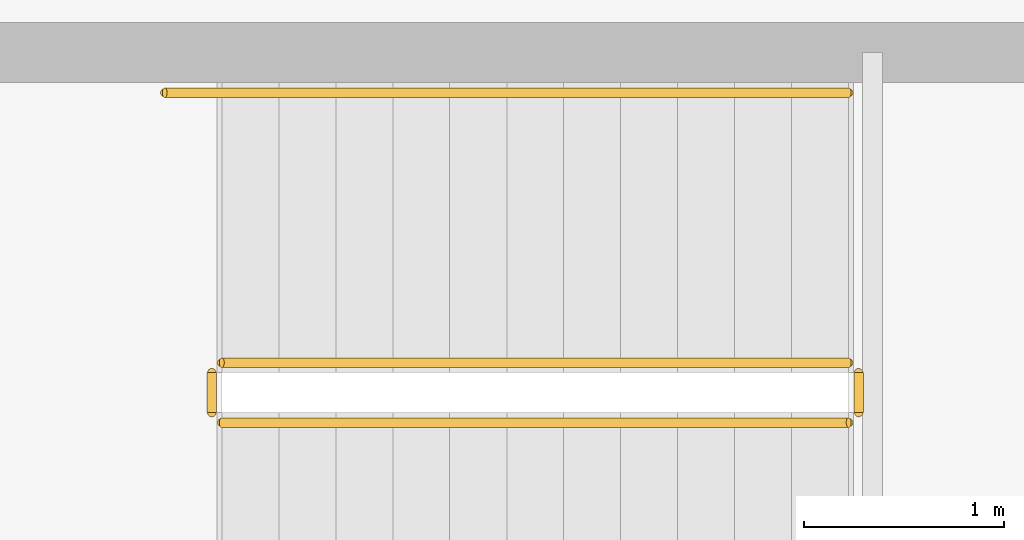
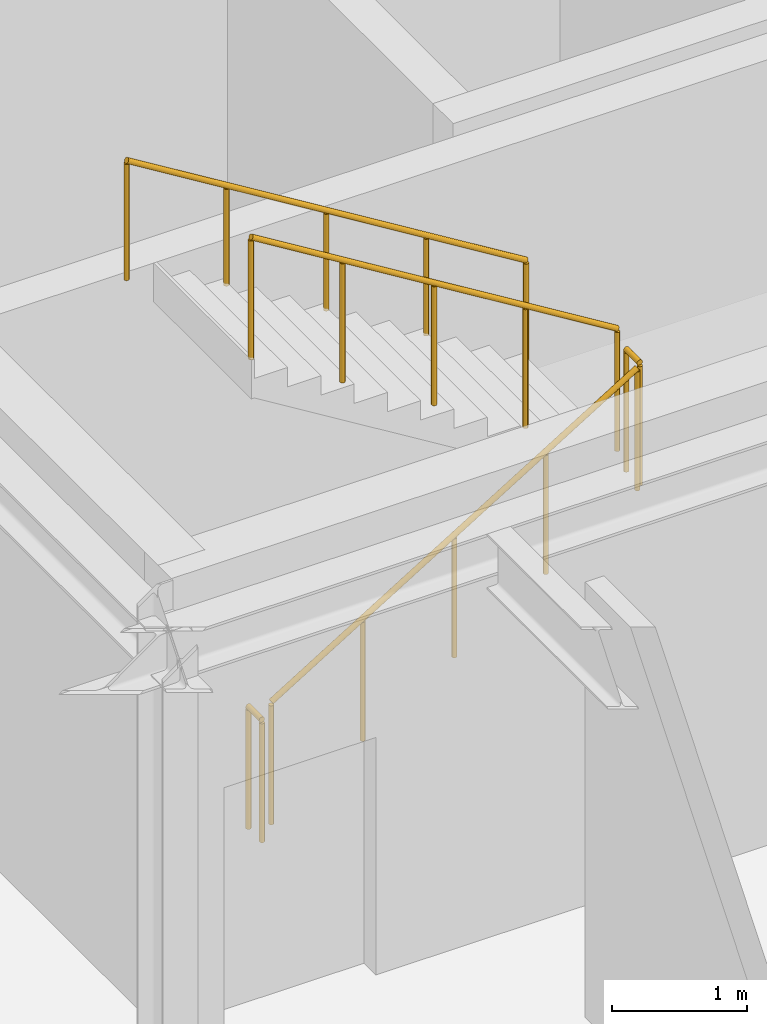
# One storey, part 28 of 29: 5 railings.
"""IFC4 building model written with IfcOpenShell, lengths in metres."""

from ifc_helpers import new_model, si_unit, direction, frame, origin, origin_2d, place, context, subcontext, project, spatial, circle, extrude, material, layer, layer_set, type_object, element, save


model = new_model("IFC4")

# Units and contexts
model_context = context("Model", 3, precision=1e-05, world=origin(), true_north=direction((0.0, 1.0)))
body_context = subcontext(model_context, "Body", "Model", "MODEL_VIEW")
ifc_project = project(units=[si_unit("LENGTHUNIT", "METRE"), si_unit("AREAUNIT", "SQUARE_METRE"), si_unit("VOLUMEUNIT", "CUBIC_METRE"), si_unit("PLANEANGLEUNIT", "RADIAN"), si_unit("MASSUNIT", "GRAM", prefix="KILO")], contexts=[model_context])

# Site, building, storey
site_placement = place(None, origin())
site = spatial("IfcSite", under=ifc_project, at=site_placement, CompositionType="ELEMENT")
building_placement = place(site_placement, origin())
building = spatial("IfcBuilding", under=site, at=building_placement, Name="Montealbar Specialist Clinic", CompositionType="ELEMENT")
storey_placement = place(building_placement, frame((0.0, 0.0, 22.199951171875)))
storey = spatial("IfcBuildingStorey", under=building, at=storey_placement, Name="L05", CompositionType="ELEMENT", Elevation=22.199951171875)

# Railings
ifc_material = material(Name="Steel S355", Category="steel")
ifc_layer_1 = layer(ifc_material, 0.050048828125, Name="Steel S355", Category="steel")
ifc_layer_set_1 = layer_set([ifc_layer_1], Name="Steel S355")
railing_type_1 = type_object("IfcRailingType", Name="RAIL-STAIR-BAL-1100", PredefinedType="BALUSTRADE", material=ifc_layer_set_1)
railing_1_placement = place(storey_placement, frame((92.85009765625, 29.10009765625, 0.175048828125)))
element("IfcRailing", 1, at=railing_1_placement, inside=storey, type_object=railing_type_1, Name="L05 ST-05 stair guard 1", PredefinedType="BALUSTRADE", context=body_context, shape_type="SweptSolid", body=[
    extrude(circle(Radius=0.02392578125, at=origin_2d()), frame((0.0, 0.0, 1.076171875), z_axis=(0.852166034122, 0.0, 0.523271488128), x_axis=(0.0, 1.0, 0.0)), (0.0, 0.0, 1.0), 3.678955078125),
    extrude(circle(Radius=0.02099609375, at=origin_2d()), frame((0.0, 0.0, -0.02490234375)), (0.0, 0.0, 1.0), 1.076904296875),
    extrude(circle(Radius=0.02099609375, at=origin_2d()), frame((0.78369140625, 0.0, 0.456298828125)), (0.0, 0.0, 1.0), 1.076904296875),
    extrude(circle(Radius=0.02099609375, at=origin_2d()), frame((1.5673828125, 0.0, 0.9375)), (0.0, 0.0, 1.0), 1.076904296875),
    extrude(circle(Radius=0.02099609375, at=origin_2d()), frame((2.351318359375, 0.0, 1.418701171875)), (0.0, 0.0, 1.0), 1.076904296875),
    extrude(circle(Radius=0.02099609375, at=origin_2d()), frame((3.135009765625, 0.0, 1.900146484375)), (0.0, 0.0, 1.0), 1.076904296875),
])
railing_2_placement = place(storey_placement, frame((96.034912109375, 29.14990234375, 2.10009765625)))
element("IfcRailing", 2, at=railing_2_placement, inside=storey, type_object=railing_type_1, Name="L05 ST-05 stair guard 2", PredefinedType="BALUSTRADE", context=body_context, shape_type="SweptSolid", body=[
    extrude(circle(Radius=0.02392578125, at=origin_2d()), frame((0.0, 0.0, 1.076171875), z_axis=(0.0, 1.0, 0.0), x_axis=(-1.0, 0.0, 0.0)), (0.0, 0.0, 1.0), 0.2001953125),
    extrude(circle(Radius=0.02099609375, at=origin_2d()), frame((0.0, 0.0, -0.02490234375)), (0.0, 0.0, 1.0), 1.076904296875),
    extrude(circle(Radius=0.02099609375, at=origin_2d()), frame((0.0, 0.2001953125, -0.02490234375)), (0.0, 0.0, 1.0), 1.076904296875),
])
railing_3_placement = place(storey_placement, frame((95.985107421875, 29.39990234375, 2.275146484375)))
element("IfcRailing", 3, at=railing_3_placement, inside=storey, type_object=railing_type_1, Name="L05 ST-05 stair guard 3", PredefinedType="BALUSTRADE", context=body_context, shape_type="SweptSolid", body=[
    extrude(circle(Radius=0.02392578125, at=origin_2d()), frame((0.0, 0.0, 1.076171875), z_axis=(-0.852195625947, 0.0, 0.523223293744), x_axis=(0.0, -1.0, 0.0)), (0.0, 0.0, 1.0), 3.6787109375),
    extrude(circle(Radius=0.02099609375, at=origin_2d()), frame((0.0, 0.0, -0.02490234375)), (0.0, 0.0, 1.0), 1.076904296875),
    extrude(circle(Radius=0.02099609375, at=origin_2d()), frame((-0.78369140625, 0.0, 0.456298828125)), (0.0, 0.0, 1.0), 1.076904296875),
    extrude(circle(Radius=0.02099609375, at=origin_2d()), frame((-1.5673828125, 0.0, 0.9375)), (0.0, 0.0, 1.0), 1.076904296875),
    extrude(circle(Radius=0.02099609375, at=origin_2d()), frame((-2.351318359375, 0.0, 1.418701171875)), (0.0, 0.0, 1.0), 1.076904296875),
    extrude(circle(Radius=0.02099609375, at=origin_2d()), frame((-3.135009765625, 0.0, 1.89990234375)), (0.0, 0.0, 1.0), 1.076904296875),
])
railing_4_placement = place(storey_placement, frame((92.800048828125, 29.14990234375, 0.0)))
element("IfcRailing", 4, at=railing_4_placement, inside=storey, type_object=railing_type_1, Name="L05 ST-05 stair guard 4", PredefinedType="BALUSTRADE", context=body_context, shape_type="SweptSolid", body=[
    extrude(circle(Radius=0.02392578125, at=origin_2d()), frame((0.0, 0.0, 1.076171875), z_axis=(0.0, 1.0, 0.0), x_axis=(-1.0, 0.0, 0.0)), (0.0, 0.0, 1.0), 0.2001953125),
    extrude(circle(Radius=0.02099609375, at=origin_2d()), frame((0.0, 0.0, -0.02490234375)), (0.0, 0.0, 1.0), 1.076904296875),
    extrude(circle(Radius=0.02099609375, at=origin_2d()), frame((0.0, 0.2001953125, -0.02490234375)), (0.0, 0.0, 1.0), 1.076904296875),
])
ifc_layer_2 = layer(ifc_material, 0.044921875, Name="Steel S355", Category="steel")
ifc_layer_set_2 = layer_set([ifc_layer_2], Name="Steel S355")
railing_type_2 = type_object("IfcRailingType", Name="RAIL-STAIR-HR-900", PredefinedType="HANDRAIL", material=ifc_layer_set_2)
railing_5_placement = place(storey_placement, frame((95.985107421875, 30.75, 2.275146484375)))
element("IfcRailing", 5, at=railing_5_placement, inside=storey, type_object=railing_type_2, Name="L05 ST-05 stair handrail 2", PredefinedType="HANDRAIL", context=body_context, shape_type="SweptSolid", body=[
    extrude(circle(Radius=0.02392578125, at=origin_2d()), frame((0.0, 0.0, 0.8759765625), z_axis=(-0.852198826108, 0.0, 0.523218081473), x_axis=(0.0, -1.0, 0.0)), (0.0, 0.0, 1.0), 4.013427734375),
    extrude(circle(Radius=0.02099609375, at=origin_2d()), frame((0.0, 0.0, -0.02490234375)), (0.0, 0.0, 1.0), 0.876708984375),
    extrude(circle(Radius=0.02099609375, at=origin_2d()), frame((-0.85498046875, 0.0, 0.5)), (0.0, 0.0, 1.0), 0.876708984375),
    extrude(circle(Radius=0.02099609375, at=origin_2d()), frame((-1.7099609375, 0.0, 1.02490234375)), (0.0, 0.0, 1.0), 0.876708984375),
    extrude(circle(Radius=0.02099609375, at=origin_2d()), frame((-2.565185546875, 0.0, 1.5498046875)), (0.0, 0.0, 1.0), 0.876708984375),
    extrude(circle(Radius=0.02099609375, at=origin_2d()), frame((-3.420166015625, 0.0, 1.89990234375)), (0.0, 0.0, 1.0), 1.0517578125),
])

save(model, "model.ifc")
